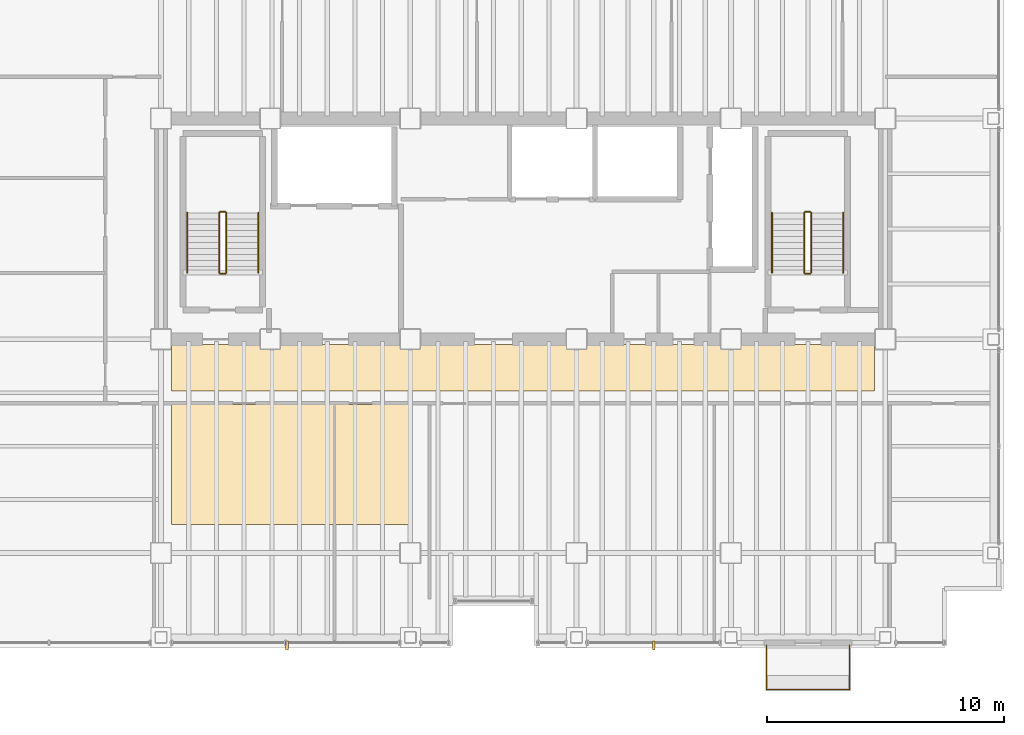
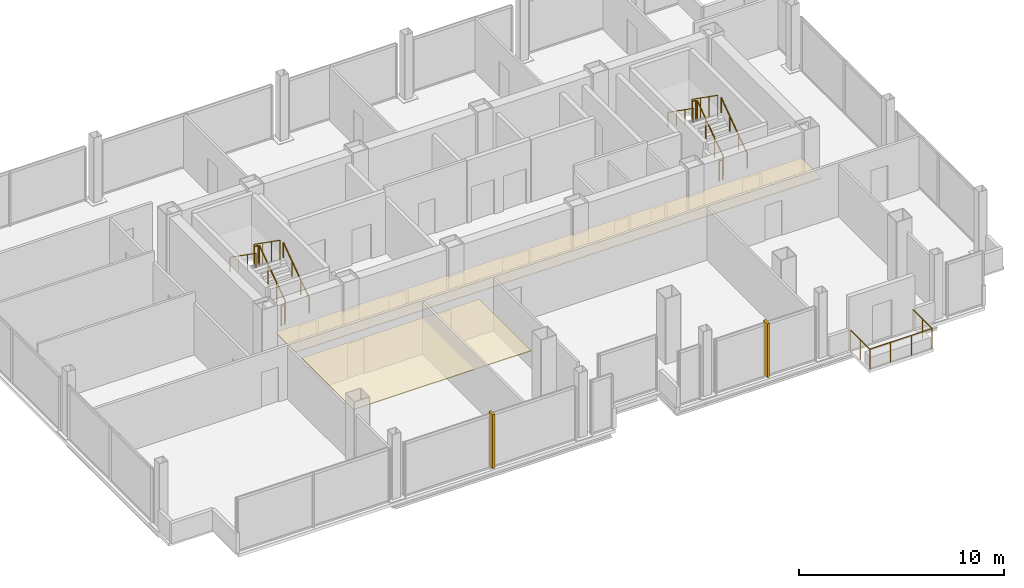
# One storey, part 19 of 19: 13 railings, 2 coverings, 2 shading devices.
"""IFC4 building model written with IfcOpenShell, lengths in metres."""

from ifc_helpers import new_model, si_unit, direction, frame, origin, origin_2d, place, context, subcontext, project, spatial, polyline, rectangle, circle, outline, extrude, material, layer, layer_set, type_object, element, save


model = new_model("IFC4")

# Units and contexts
model_context = context("Model", 3, precision=1e-05, world=origin(), true_north=direction((0.0, 1.0)))
body_context = subcontext(model_context, "Body", "Model", "MODEL_VIEW")
ifc_project = project(units=[si_unit("LENGTHUNIT", "METRE"), si_unit("AREAUNIT", "SQUARE_METRE"), si_unit("VOLUMEUNIT", "CUBIC_METRE"), si_unit("PLANEANGLEUNIT", "RADIAN"), si_unit("MASSUNIT", "GRAM", prefix="KILO")], contexts=[model_context])

# Site, building, storey
site_placement = place(None, origin())
site = spatial("IfcSite", under=ifc_project, at=site_placement, CompositionType="ELEMENT")
building_placement = place(site_placement, origin())
building = spatial("IfcBuilding", under=site, at=building_placement, Name="Noeulbin Bourse Tower", CompositionType="ELEMENT")
storey_placement = place(building_placement, frame((0.0, 0.0, 150.0)))
storey = spatial("IfcBuildingStorey", under=building, at=storey_placement, Name="L37", CompositionType="ELEMENT", Elevation=150.0)

# Coverings
ifc_material_1 = material(Name="Perforated Mineral-Fibre Acoustic Tile")
ifc_layer_1 = layer(ifc_material_1, 0.0400390625)
ifc_layer_set_1 = layer_set([ifc_layer_1], Name="Perforated Mineral-Fibre Acoustic Tile")
covering_type = type_object("IfcCoveringType", Name="COV-CEIL-ACT", PredefinedType="CEILING", material=ifc_layer_set_1)
covering_1_placement = place(storey_placement, frame((0.0, 0.0, 2.110107421875)))
element("IfcCovering", 1, at=covering_1_placement, inside=storey, type_object=covering_type, Name="Corridor Suspended Ceiling L37", PredefinedType="CEILING", context=body_context, shape_type="SweptSolid", body=[
    extrude(outline(polyline([(13.949951171875, 26.820068359375), (43.550048828125, 26.820068359375), (43.550048828125, 28.780029296875), (13.949951171875, 28.780029296875), (13.949951171875, 26.820068359375)])), origin(), (0.0, 0.0, 1.0), 0.039794921875),
])
covering_2_placement = place(storey_placement, frame((0.0, 0.0, 2.110107421875)))
element("IfcCovering", 2, at=covering_2_placement, inside=storey, type_object=covering_type, Name="Trading Suite Acoustic Ceiling L37", PredefinedType="CEILING", context=body_context, shape_type="SweptSolid", body=[
    extrude(outline(polyline([(13.949951171875, 21.199951171875), (23.949951171875, 21.199951171875), (23.949951171875, 26.25), (13.949951171875, 26.25), (13.949951171875, 21.199951171875)])), origin(), (0.0, 0.0, 1.0), 0.039794921875),
])

# Railings
ifc_material_2 = material(Name="Laminated SentryGlas and Stainless Steel 316", Category="steel")
ifc_layer_2 = layer(ifc_material_2, 0.06005859375)
ifc_layer_set_2 = layer_set([ifc_layer_2], Name="Laminated SentryGlas and Stainless Steel 316")
railing_type_1 = type_object("IfcRailingType", Name="RLG-BAL-1200", PredefinedType="BALUSTRADE", material=ifc_layer_set_2)
railing_1_placement = place(storey_placement, frame((39.0, 16.1201171875, 0.0)))
element("IfcRailing", 3, at=railing_1_placement, inside=storey, type_object=railing_type_1, Name="Tree-Balcony Glazed Balustrade L37", PredefinedType="BALUSTRADE", context=body_context, shape_type="SweptSolid", body=[
    extrude(circle(Radius=0.02392578125, at=origin_2d()), frame((0.0, 0.0, 1.17578125), z_axis=(0.0, -1.0, 0.0), x_axis=(1.0, 0.0, 0.0)), (0.0, 0.0, 1.0), 1.8701171875),
    extrude(circle(Radius=0.02392578125, at=origin_2d()), frame((0.0, -1.8701171875, 1.17578125), z_axis=(1.0, 0.0, 0.0), x_axis=(0.0, 1.0, 0.0)), (0.0, 0.0, 1.0), 3.5),
    extrude(circle(Radius=0.02392578125, at=origin_2d()), frame((3.5, -1.8701171875, 1.17578125), z_axis=(0.0, 1.0, 0.0), x_axis=(-1.0, 0.0, 0.0)), (0.0, 0.0, 1.0), 1.8701171875),
    extrude(circle(Radius=0.02099609375, at=origin_2d()), origin(), (0.0, 0.0, 1.0), 1.15185546875),
    extrude(circle(Radius=0.02099609375, at=origin_2d()), frame((0.0, -0.93505859375, 0.0)), (0.0, 0.0, 1.0), 1.15185546875),
    extrude(circle(Radius=0.02099609375, at=origin_2d()), frame((0.0, -1.8701171875, 0.0)), (0.0, 0.0, 1.0), 1.15185546875),
    extrude(circle(Radius=0.02099609375, at=origin_2d()), frame((1.166748046875, -1.8701171875, 0.0)), (0.0, 0.0, 1.0), 1.15185546875),
    extrude(circle(Radius=0.02099609375, at=origin_2d()), frame((2.333251953125, -1.8701171875, 0.0)), (0.0, 0.0, 1.0), 1.15185546875),
    extrude(circle(Radius=0.02099609375, at=origin_2d()), frame((3.5, -1.8701171875, 0.0)), (0.0, 0.0, 1.0), 1.15185546875),
    extrude(circle(Radius=0.02099609375, at=origin_2d()), frame((3.5, -0.93505859375, 0.0)), (0.0, 0.0, 1.0), 1.15185546875),
    extrude(circle(Radius=0.02099609375, at=origin_2d()), frame((3.5, 0.0, 0.0)), (0.0, 0.0, 1.0), 1.15185546875),
])
ifc_material_3 = material(Name="Painted Tubular Steel S355", Category="steel")
ifc_layer_3 = layer(ifc_material_3, 0.048095703125)
ifc_layer_set_3 = layer_set([ifc_layer_3], Name="Painted Tubular Steel S355")
railing_type_2 = type_object("IfcRailingType", Name="RLG-STR-GRD", PredefinedType="GUARDRAIL", material=ifc_layer_set_3)
railing_2_placement = place(storey_placement, frame((16.25, 31.81005859375, 0.17724609375)))
element("IfcRailing", 4, at=railing_2_placement, inside=storey, type_object=railing_type_2, Name="L37 ST-1 stair guard 1", PredefinedType="GUARDRAIL", context=body_context, shape_type="SweptSolid", body=[
    extrude(circle(Radius=0.02392578125, at=origin_2d()), frame((0.0, 0.0, 1.17578125), z_axis=(0.0, 0.817904474719, 0.575354039036), x_axis=(-1.0, 0.0, 0.0)), (0.0, 0.0, 1.0), 3.0810546875),
    extrude(circle(Radius=0.02099609375, at=origin_2d()), origin(), (0.0, 0.0, 1.0), 1.15185546875),
    extrude(circle(Radius=0.02099609375, at=origin_2d()), frame((0.0, 0.840087890625, 0.5908203125)), (0.0, 0.0, 1.0), 1.15185546875),
    extrude(circle(Radius=0.02099609375, at=origin_2d()), frame((0.0, 1.679931640625, 1.181884765625)), (0.0, 0.0, 1.0), 1.15185546875),
    extrude(circle(Radius=0.02099609375, at=origin_2d()), frame((0.0, 2.52001953125, 1.772705078125)), (0.0, 0.0, 1.0), 1.15185546875),
])
railing_3_placement = place(storey_placement, frame((16.199951171875, 34.3798828125, 1.949951171875)))
element("IfcRailing", 5, at=railing_3_placement, inside=storey, type_object=railing_type_2, Name="L37 ST-1 stair guard 2", PredefinedType="GUARDRAIL", context=body_context, shape_type="SweptSolid", body=[
    extrude(circle(Radius=0.02392578125, at=origin_2d()), frame((0.0, 0.0, 1.17578125), z_axis=(-1.0, 0.0, 0.0), x_axis=(0.0, -1.0, 0.0)), (0.0, 0.0, 1.0), 0.199951171875),
    extrude(circle(Radius=0.02099609375, at=origin_2d()), origin(), (0.0, 0.0, 1.0), 1.15185546875),
    extrude(circle(Radius=0.02099609375, at=origin_2d()), frame((-0.199951171875, 0.0, 0.0)), (0.0, 0.0, 1.0), 1.15185546875),
])
railing_4_placement = place(storey_placement, frame((15.949951171875, 34.330078125, 2.127197265625)))
element("IfcRailing", 6, at=railing_4_placement, inside=storey, type_object=railing_type_2, Name="L37 ST-1 stair guard 3", PredefinedType="GUARDRAIL", context=body_context, shape_type="SweptSolid", body=[
    extrude(circle(Radius=0.02392578125, at=origin_2d()), frame((0.0, 0.0, 1.17578125), z_axis=(0.0, -0.817904474719, 0.575354039036), x_axis=(1.0, 0.0, 0.0)), (0.0, 0.0, 1.0), 3.0810546875),
    extrude(circle(Radius=0.02099609375, at=origin_2d()), origin(), (0.0, 0.0, 1.0), 1.15185546875),
    extrude(circle(Radius=0.02099609375, at=origin_2d()), frame((0.0, -0.840087890625, 0.5908203125)), (0.0, 0.0, 1.0), 1.15185546875),
    extrude(circle(Radius=0.02099609375, at=origin_2d()), frame((0.0, -1.679931640625, 1.181884765625)), (0.0, 0.0, 1.0), 1.15185546875),
    extrude(circle(Radius=0.02099609375, at=origin_2d()), frame((0.0, -2.52001953125, 1.772705078125)), (0.0, 0.0, 1.0), 1.15185546875),
])
railing_5_placement = place(storey_placement, frame((16.199951171875, 31.760009765625, 0.0)))
element("IfcRailing", 7, at=railing_5_placement, inside=storey, type_object=railing_type_2, Name="L37 ST-1 stair guard 4", PredefinedType="GUARDRAIL", context=body_context, shape_type="SweptSolid", body=[
    extrude(circle(Radius=0.02392578125, at=origin_2d()), frame((0.0, 0.0, 1.17578125), z_axis=(-1.0, 0.0, 0.0), x_axis=(0.0, -1.0, 0.0)), (0.0, 0.0, 1.0), 0.199951171875),
    extrude(circle(Radius=0.02099609375, at=origin_2d()), origin(), (0.0, 0.0, 1.0), 1.15185546875),
    extrude(circle(Radius=0.02099609375, at=origin_2d()), frame((-0.199951171875, 0.0, 0.0)), (0.0, 0.0, 1.0), 1.15185546875),
])
railing_6_placement = place(storey_placement, frame((40.8798828125, 31.81005859375, 0.17724609375)))
element("IfcRailing", 8, at=railing_6_placement, inside=storey, type_object=railing_type_2, Name="L37 ST-2 stair guard 1", PredefinedType="GUARDRAIL", context=body_context, shape_type="SweptSolid", body=[
    extrude(circle(Radius=0.02392578125, at=origin_2d()), frame((0.0, 0.0, 1.17578125), z_axis=(0.0, 0.817904474719, 0.575354039036), x_axis=(-1.0, 0.0, 0.0)), (0.0, 0.0, 1.0), 3.0810546875),
    extrude(circle(Radius=0.02099609375, at=origin_2d()), origin(), (0.0, 0.0, 1.0), 1.15185546875),
    extrude(circle(Radius=0.02099609375, at=origin_2d()), frame((0.0, 0.840087890625, 0.5908203125)), (0.0, 0.0, 1.0), 1.15185546875),
    extrude(circle(Radius=0.02099609375, at=origin_2d()), frame((0.0, 1.679931640625, 1.181884765625)), (0.0, 0.0, 1.0), 1.15185546875),
    extrude(circle(Radius=0.02099609375, at=origin_2d()), frame((0.0, 2.52001953125, 1.772705078125)), (0.0, 0.0, 1.0), 1.15185546875),
])
railing_7_placement = place(storey_placement, frame((40.830078125, 34.3798828125, 1.949951171875)))
element("IfcRailing", 9, at=railing_7_placement, inside=storey, type_object=railing_type_2, Name="L37 ST-2 stair guard 2", PredefinedType="GUARDRAIL", context=body_context, shape_type="SweptSolid", body=[
    extrude(circle(Radius=0.02392578125, at=origin_2d()), frame((0.0, 0.0, 1.17578125), z_axis=(-1.0, 0.0, 0.0), x_axis=(0.0, -1.0, 0.0)), (0.0, 0.0, 1.0), 0.2001953125),
    extrude(circle(Radius=0.02099609375, at=origin_2d()), origin(), (0.0, 0.0, 1.0), 1.15185546875),
    extrude(circle(Radius=0.02099609375, at=origin_2d()), frame((-0.2001953125, 0.0, 0.0)), (0.0, 0.0, 1.0), 1.15185546875),
])
railing_8_placement = place(storey_placement, frame((40.580078125, 34.330078125, 2.127197265625)))
element("IfcRailing", 10, at=railing_8_placement, inside=storey, type_object=railing_type_2, Name="L37 ST-2 stair guard 3", PredefinedType="GUARDRAIL", context=body_context, shape_type="SweptSolid", body=[
    extrude(circle(Radius=0.02392578125, at=origin_2d()), frame((0.0, 0.0, 1.17578125), z_axis=(0.0, -0.817904474719, 0.575354039036), x_axis=(1.0, 0.0, 0.0)), (0.0, 0.0, 1.0), 3.0810546875),
    extrude(circle(Radius=0.02099609375, at=origin_2d()), origin(), (0.0, 0.0, 1.0), 1.15185546875),
    extrude(circle(Radius=0.02099609375, at=origin_2d()), frame((0.0, -0.840087890625, 0.5908203125)), (0.0, 0.0, 1.0), 1.15185546875),
    extrude(circle(Radius=0.02099609375, at=origin_2d()), frame((0.0, -1.679931640625, 1.181884765625)), (0.0, 0.0, 1.0), 1.15185546875),
    extrude(circle(Radius=0.02099609375, at=origin_2d()), frame((0.0, -2.52001953125, 1.772705078125)), (0.0, 0.0, 1.0), 1.15185546875),
])
railing_9_placement = place(storey_placement, frame((40.830078125, 31.760009765625, 0.0)))
element("IfcRailing", 11, at=railing_9_placement, inside=storey, type_object=railing_type_2, Name="L37 ST-2 stair guard 4", PredefinedType="GUARDRAIL", context=body_context, shape_type="SweptSolid", body=[
    extrude(circle(Radius=0.02392578125, at=origin_2d()), frame((0.0, 0.0, 1.17578125), z_axis=(-1.0, 0.0, 0.0), x_axis=(0.0, -1.0, 0.0)), (0.0, 0.0, 1.0), 0.2001953125),
    extrude(circle(Radius=0.02099609375, at=origin_2d()), origin(), (0.0, 0.0, 1.0), 1.15185546875),
    extrude(circle(Radius=0.02099609375, at=origin_2d()), frame((-0.2001953125, 0.0, 0.0)), (0.0, 0.0, 1.0), 1.15185546875),
])
ifc_material_4 = material(Name="Brushed Stainless Steel 316", Category="steel")
ifc_layer_4 = layer(ifc_material_4, 0.048095703125)
ifc_layer_set_4 = layer_set([ifc_layer_4], Name="Brushed Stainless Steel 316")
railing_type_3 = type_object("IfcRailingType", Name="RLG-STR-HND", PredefinedType="HANDRAIL", material=ifc_layer_set_4)
railing_10_placement = place(storey_placement, frame((17.60009765625, 31.81005859375, 0.17724609375)))
element("IfcRailing", 12, at=railing_10_placement, inside=storey, type_object=railing_type_3, Name="L37 ST-1 stair handrail 1", PredefinedType="HANDRAIL", context=body_context, shape_type="SweptSolid", body=[
    extrude(circle(Radius=0.02392578125, at=origin_2d()), frame((0.0, 0.0, 0.8759765625), z_axis=(0.0, 0.817904474719, 0.575354039036), x_axis=(-1.0, 0.0, 0.0)), (0.0, 0.0, 1.0), 3.0810546875),
    extrude(circle(Radius=0.02099609375, at=origin_2d()), origin(), (0.0, 0.0, 1.0), 0.851806640625),
    extrude(circle(Radius=0.02099609375, at=origin_2d()), frame((0.0, 0.840087890625, 0.5908203125)), (0.0, 0.0, 1.0), 0.851806640625),
    extrude(circle(Radius=0.02099609375, at=origin_2d()), frame((0.0, 1.679931640625, 1.181884765625)), (0.0, 0.0, 1.0), 0.851806640625),
    extrude(circle(Radius=0.02099609375, at=origin_2d()), frame((0.0, 2.52001953125, 1.772705078125)), (0.0, 0.0, 1.0), 0.851806640625),
])
railing_11_placement = place(storey_placement, frame((14.60009765625, 34.330078125, 2.127197265625)))
element("IfcRailing", 13, at=railing_11_placement, inside=storey, type_object=railing_type_3, Name="L37 ST-1 stair handrail 2", PredefinedType="HANDRAIL", context=body_context, shape_type="SweptSolid", body=[
    extrude(circle(Radius=0.02392578125, at=origin_2d()), frame((0.0, 0.0, 0.8759765625), z_axis=(0.0, -0.817904474719, 0.575354039036), x_axis=(1.0, 0.0, 0.0)), (0.0, 0.0, 1.0), 3.0810546875),
    extrude(circle(Radius=0.02099609375, at=origin_2d()), origin(), (0.0, 0.0, 1.0), 0.851806640625),
    extrude(circle(Radius=0.02099609375, at=origin_2d()), frame((0.0, -0.840087890625, 0.5908203125)), (0.0, 0.0, 1.0), 0.851806640625),
    extrude(circle(Radius=0.02099609375, at=origin_2d()), frame((0.0, -1.679931640625, 1.181884765625)), (0.0, 0.0, 1.0), 0.851806640625),
    extrude(circle(Radius=0.02099609375, at=origin_2d()), frame((0.0, -2.52001953125, 1.772705078125)), (0.0, 0.0, 1.0), 0.851806640625),
])
railing_12_placement = place(storey_placement, frame((42.22998046875, 31.81005859375, 0.17724609375)))
element("IfcRailing", 14, at=railing_12_placement, inside=storey, type_object=railing_type_3, Name="L37 ST-2 stair handrail 1", PredefinedType="HANDRAIL", context=body_context, shape_type="SweptSolid", body=[
    extrude(circle(Radius=0.02392578125, at=origin_2d()), frame((0.0, 0.0, 0.8759765625), z_axis=(0.0, 0.817904474719, 0.575354039036), x_axis=(-1.0, 0.0, 0.0)), (0.0, 0.0, 1.0), 3.0810546875),
    extrude(circle(Radius=0.02099609375, at=origin_2d()), origin(), (0.0, 0.0, 1.0), 0.851806640625),
    extrude(circle(Radius=0.02099609375, at=origin_2d()), frame((0.0, 0.840087890625, 0.5908203125)), (0.0, 0.0, 1.0), 0.851806640625),
    extrude(circle(Radius=0.02099609375, at=origin_2d()), frame((0.0, 1.679931640625, 1.181884765625)), (0.0, 0.0, 1.0), 0.851806640625),
    extrude(circle(Radius=0.02099609375, at=origin_2d()), frame((0.0, 2.52001953125, 1.772705078125)), (0.0, 0.0, 1.0), 0.851806640625),
])
railing_13_placement = place(storey_placement, frame((39.22998046875, 34.330078125, 2.127197265625)))
element("IfcRailing", 15, at=railing_13_placement, inside=storey, type_object=railing_type_3, Name="L37 ST-2 stair handrail 2", PredefinedType="HANDRAIL", context=body_context, shape_type="SweptSolid", body=[
    extrude(circle(Radius=0.02392578125, at=origin_2d()), frame((0.0, 0.0, 0.8759765625), z_axis=(0.0, -0.817904474719, 0.575354039036), x_axis=(1.0, 0.0, 0.0)), (0.0, 0.0, 1.0), 3.0810546875),
    extrude(circle(Radius=0.02099609375, at=origin_2d()), origin(), (0.0, 0.0, 1.0), 0.851806640625),
    extrude(circle(Radius=0.02099609375, at=origin_2d()), frame((0.0, -0.840087890625, 0.5908203125)), (0.0, 0.0, 1.0), 0.851806640625),
    extrude(circle(Radius=0.02099609375, at=origin_2d()), frame((0.0, -1.679931640625, 1.181884765625)), (0.0, 0.0, 1.0), 0.851806640625),
    extrude(circle(Radius=0.02099609375, at=origin_2d()), frame((0.0, -2.52001953125, 1.772705078125)), (0.0, 0.0, 1.0), 0.851806640625),
])

# Shading devices
ifc_material_5 = material(Name="Anodised Aluminium 6063-T6", Category="aluminium")
ifc_layer_5 = layer(ifc_material_5, 3.199951171875)
ifc_layer_set_5 = layer_set([ifc_layer_5], Name="Anodised Aluminium 6063-T6")
shading_device_type = type_object("IfcShadingDeviceType", Name="SHD-FIN-400", PredefinedType="USERDEFINED", material=ifc_layer_set_5)
for number, where, z_axis, x_axis, name in (
    (16, (18.800048828125, 16.10009765625, 0.14990234375), (0.0, 0.0, 1.0), (1.0, 0.0, 0.0), "Vertical Solar Fin SN-L37-1"),
    (17, (34.25, 16.10009765625, 0.14990234375), (0.0, 0.0, 1.0), (1.0, 0.0, 0.0), "Vertical Solar Fin SN-L37-2"),
):
    element("IfcShadingDevice", number, at=place(storey_placement, frame(where, z_axis=z_axis, x_axis=x_axis)), inside=storey, type_object=shading_device_type, Name=name, ObjectType="SUNSHADE", PredefinedType="USERDEFINED", context=body_context, shape_type="SweptSolid", body=[
        extrude(rectangle(XDim=0.1201171875, YDim=0.3798828125, at=origin_2d()), origin(), (0.0, 0.0, 1.0), 3.199951171875),
    ])

save(model, "model.ifc")
